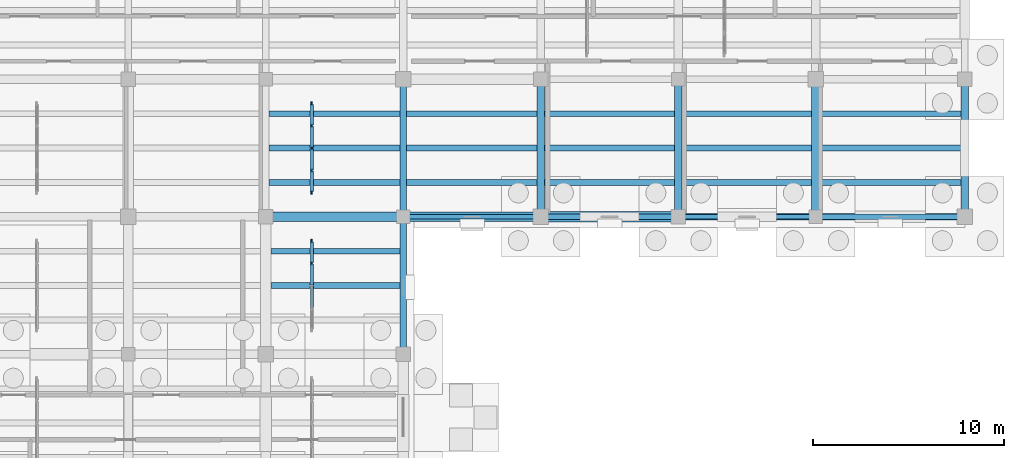
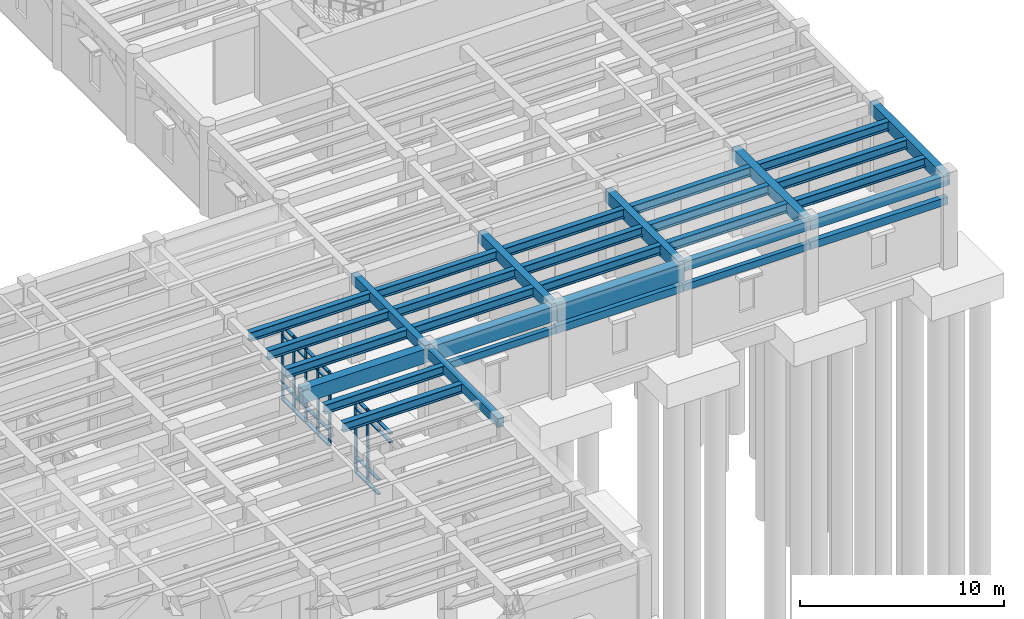
# One storey, part 37 of 100: 33 members, 32 beams, 2 elements without a shape of their own.
"""IFC4 building model written with IfcOpenShell, lengths in metres."""

from ifc_helpers import new_model, si_unit, direction, frame, origin, origin_2d, place, context, subcontext, project, spatial, rectangle, i_section, extrude, material, material_profile, profile_set, type_object, element, aggregate, save


model = new_model("IFC4")

# Units and contexts
model_context = context("Model", 3, precision=1e-05, world=origin(), true_north=direction((0.0, 1.0)))
body_context = subcontext(model_context, "Body", "Model", "MODEL_VIEW")
ifc_project = project(units=[si_unit("LENGTHUNIT", "METRE"), si_unit("AREAUNIT", "SQUARE_METRE"), si_unit("VOLUMEUNIT", "CUBIC_METRE"), si_unit("PLANEANGLEUNIT", "RADIAN"), si_unit("MASSUNIT", "GRAM", prefix="KILO")], contexts=[model_context])

# Site, building, storey
site_placement = place(None, origin())
site = spatial("IfcSite", under=ifc_project, at=site_placement, CompositionType="ELEMENT")
building_placement = place(site_placement, origin())
building = spatial("IfcBuilding", under=site, at=building_placement, Name="Mithqara Police Headquarters", CompositionType="ELEMENT")
storey_placement = place(building_placement, origin())
storey = spatial("IfcBuildingStorey", under=building, at=storey_placement, Name="L00", CompositionType="ELEMENT", Elevation=0.0)

# Beams
ifc_material_1 = material(Name="Steel S355JR", Category="steel")
ifc_material_profile_1 = material_profile(ifc_material_1, i_section(OverallWidth=0.300048828125, OverallDepth=0.550048828125, WebThickness=0.014892578125, FlangeThickness=0.029052734375, FilletRadius=0.027099609375, at=origin_2d()), Name="HEB 550")
ifc_profile_set_1 = profile_set([ifc_material_profile_1], Name="Steel S355JR")
beam_type_1 = type_object("IfcBeamType", Name="BEAM HEB550", PredefinedType="BEAM", material=ifc_profile_set_1)
for number, where, z_axis, x_axis, name in (
    (1, (137.675048828125, 17.39990234375, 4.844970703125), (1.0, 0.0, 0.0), (0.0, 1.0, 0.0), "L00 Composite Steel Joist 20-21/C.2"),
    (2, (137.675048828125, 19.199951171875, 4.844970703125), (1.0, 0.0, 0.0), (0.0, 1.0, 0.0), "L00 Composite Steel Joist 20-21/C.3"),
):
    element("IfcBeam", number, at=place(storey_placement, frame(where, z_axis=z_axis, x_axis=x_axis)), inside=storey, type_object=beam_type_1, Name=name, PredefinedType="BEAM", context=body_context, shape_type="SweptSolid", body=[
        extrude(i_section(OverallWidth=0.300048828125, OverallDepth=0.550048828125, WebThickness=0.014892578125, FlangeThickness=0.029052734375, FilletRadius=0.027099609375, at=origin_2d()), origin(), (0.0, 0.0, 1.0), 6.75),
    ])
for number, where, z_axis, x_axis, name in (
    (3, (137.574951171875, 22.800048828125, 4.844970703125), (1.0, 0.0, 0.0), (0.0, 1.0, 0.0), "L00 Composite Steel Joist 20-21/D.1"),
    (4, (137.574951171875, 24.60009765625, 4.844970703125), (1.0, 0.0, 0.0), (0.0, 1.0, 0.0), "L00 Composite Steel Joist 20-21/D.2"),
    (5, (137.574951171875, 26.39990234375, 4.844970703125), (1.0, 0.0, 0.0), (0.0, 1.0, 0.0), "L00 Composite Steel Joist 20-21/D.3"),
):
    element("IfcBeam", number, at=place(storey_placement, frame(where, z_axis=z_axis, x_axis=x_axis)), inside=storey, type_object=beam_type_1, Name=name, PredefinedType="BEAM", context=body_context, shape_type="SweptSolid", body=[
        extrude(i_section(OverallWidth=0.300048828125, OverallDepth=0.550048828125, WebThickness=0.014892578125, FlangeThickness=0.029052734375, FilletRadius=0.027099609375, at=origin_2d()), origin(), (0.0, 0.0, 1.0), 6.85009765625),
    ])
for number, where, z_axis, x_axis, name in (
    (6, (144.77490234375, 22.800048828125, 4.844970703125), (1.0, 0.0, 0.0), (0.0, 1.0, 0.0), "L00 Composite Steel Joist 21-22/D.1"),
    (7, (144.77490234375, 24.60009765625, 4.844970703125), (1.0, 0.0, 0.0), (0.0, 1.0, 0.0), "L00 Composite Steel Joist 21-22/D.2"),
    (8, (144.77490234375, 26.39990234375, 4.844970703125), (1.0, 0.0, 0.0), (0.0, 1.0, 0.0), "L00 Composite Steel Joist 21-22/D.3"),
):
    element("IfcBeam", number, at=place(storey_placement, frame(where, z_axis=z_axis, x_axis=x_axis)), inside=storey, type_object=beam_type_1, Name=name, PredefinedType="BEAM", context=body_context, shape_type="SweptSolid", body=[
        extrude(i_section(OverallWidth=0.300048828125, OverallDepth=0.550048828125, WebThickness=0.014892578125, FlangeThickness=0.029052734375, FilletRadius=0.027099609375, at=origin_2d()), origin(), (0.0, 0.0, 1.0), 6.8251953125),
    ])
for number, where, z_axis, x_axis, name in (
    (9, (152.0, 22.800048828125, 4.844970703125), (1.0, 0.0, 0.0), (0.0, 1.0, 0.0), "L00 Composite Steel Joist 22-23/D.1"),
    (10, (152.0, 24.60009765625, 4.844970703125), (1.0, 0.0, 0.0), (0.0, 1.0, 0.0), "L00 Composite Steel Joist 22-23/D.2"),
    (11, (152.0, 26.39990234375, 4.844970703125), (1.0, 0.0, 0.0), (0.0, 1.0, 0.0), "L00 Composite Steel Joist 22-23/D.3"),
):
    element("IfcBeam", number, at=place(storey_placement, frame(where, z_axis=z_axis, x_axis=x_axis)), inside=storey, type_object=beam_type_1, Name=name, PredefinedType="BEAM", context=body_context, shape_type="SweptSolid", body=[
        extrude(i_section(OverallWidth=0.300048828125, OverallDepth=0.550048828125, WebThickness=0.014892578125, FlangeThickness=0.029052734375, FilletRadius=0.027099609375, at=origin_2d()), origin(), (0.0, 0.0, 1.0), 6.800048828125),
    ])
for number, where, z_axis, x_axis, name in (
    (12, (159.199951171875, 22.800048828125, 4.844970703125), (1.0, 0.0, 0.0), (0.0, 1.0, 0.0), "L00 Composite Steel Joist 23-24/D.1"),
    (13, (159.199951171875, 24.60009765625, 4.844970703125), (1.0, 0.0, 0.0), (0.0, 1.0, 0.0), "L00 Composite Steel Joist 23-24/D.2"),
    (14, (159.199951171875, 26.39990234375, 4.844970703125), (1.0, 0.0, 0.0), (0.0, 1.0, 0.0), "L00 Composite Steel Joist 23-24/D.3"),
):
    element("IfcBeam", number, at=place(storey_placement, frame(where, z_axis=z_axis, x_axis=x_axis)), inside=storey, type_object=beam_type_1, Name=name, PredefinedType="BEAM", context=body_context, shape_type="SweptSolid", body=[
        extrude(i_section(OverallWidth=0.300048828125, OverallDepth=0.550048828125, WebThickness=0.014892578125, FlangeThickness=0.029052734375, FilletRadius=0.027099609375, at=origin_2d()), origin(), (0.0, 0.0, 1.0), 6.775146484375),
    ])
for number, where, z_axis, x_axis, name in (
    (15, (166.425048828125, 22.800048828125, 4.844970703125), (1.0, 0.0, 0.0), (0.0, 1.0, 0.0), "L00 Composite Steel Joist 24-25/D.1"),
    (16, (166.425048828125, 24.60009765625, 4.844970703125), (1.0, 0.0, 0.0), (0.0, 1.0, 0.0), "L00 Composite Steel Joist 24-25/D.2"),
    (17, (166.425048828125, 26.39990234375, 4.844970703125), (1.0, 0.0, 0.0), (0.0, 1.0, 0.0), "L00 Composite Steel Joist 24-25/D.3"),
):
    element("IfcBeam", number, at=place(storey_placement, frame(where, z_axis=z_axis, x_axis=x_axis)), inside=storey, type_object=beam_type_1, Name=name, PredefinedType="BEAM", context=body_context, shape_type="SweptSolid", body=[
        extrude(i_section(OverallWidth=0.300048828125, OverallDepth=0.550048828125, WebThickness=0.014892578125, FlangeThickness=0.029052734375, FilletRadius=0.027099609375, at=origin_2d()), origin(), (0.0, 0.0, 1.0), 7.375),
    ])
ifc_material_2 = material(Name="Concrete C40/50", Category="concrete")
ifc_material_profile_2 = material_profile(ifc_material_2, rectangle(XDim=0.35009765625, YDim=0.550048828125, at=origin_2d()), Name="RC 350x550")
ifc_profile_set_2 = profile_set([ifc_material_profile_2], Name="Concrete C40/50")
beam_type_2 = type_object("IfcBeamType", Name="BEAM RC350X550", PredefinedType="BEAM", material=ifc_profile_set_2)
for number, where, z_axis, x_axis, name in (
    (18, (144.60009765625, 13.800048828125, 4.844970703125), (0.0, 1.0, 0.0), (-1.0, 0.0, 0.0), "L00 Girder 21/C-D"),
    (19, (159.0, 21.0, 4.844970703125), (1.0, 0.0, 0.0), (0.0, 1.0, 0.0), "L00 Girder 23-24/D"),
):
    element("IfcBeam", number, at=place(storey_placement, frame(where, z_axis=z_axis, x_axis=x_axis)), inside=storey, type_object=beam_type_2, Name=name, PredefinedType="BEAM", context=body_context, shape_type="SweptSolid", body=[
        extrude(rectangle(XDim=0.35009765625, YDim=0.550048828125, at=origin_2d()), origin(), (0.0, 0.0, 1.0), 7.199951171875),
    ])
ifc_material_profile_3 = material_profile(ifc_material_2, rectangle(XDim=0.35009765625, YDim=0.60009765625, at=origin_2d()), Name="RC 350x600")
ifc_profile_set_3 = profile_set([ifc_material_profile_3], Name="Concrete C40/50")
beam_type_3 = type_object("IfcBeamType", Name="BEAM RC350X600", PredefinedType="BEAM", material=ifc_profile_set_3)
beam_1_placement = place(storey_placement, frame((144.60009765625, 21.0, 4.820068359375), z_axis=(0.0, 1.0, 0.0), x_axis=(-1.0, 0.0, 0.0)))
element("IfcBeam", 20, at=beam_1_placement, inside=storey, type_object=beam_type_3, Name="L00 Girder 21/D-E", PredefinedType="BEAM", context=body_context, shape_type="SweptSolid", body=[
    extrude(rectangle(XDim=0.35009765625, YDim=0.60009765625, at=origin_2d()), origin(), (0.0, 0.0, 1.0), 7.199951171875),
])
beam_2_placement = place(storey_placement, frame((166.199951171875, 21.0, 4.820068359375), z_axis=(1.0, 0.0, 0.0), x_axis=(0.0, 1.0, 0.0)))
element("IfcBeam", 21, at=beam_2_placement, inside=storey, type_object=beam_type_3, Name="L00 Girder 24-25/D", PredefinedType="BEAM", context=body_context, shape_type="SweptSolid", body=[
    extrude(rectangle(XDim=0.35009765625, YDim=0.60009765625, at=origin_2d()), origin(), (0.0, 0.0, 1.0), 7.800048828125),
])
ifc_material_profile_4 = material_profile(ifc_material_2, rectangle(XDim=0.39990234375, YDim=0.64990234375, at=origin_2d()), Name="RC 400x650")
ifc_profile_set_4 = profile_set([ifc_material_profile_4], Name="Concrete C40/50")
beam_type_4 = type_object("IfcBeamType", Name="BEAM RC400X650", PredefinedType="BEAM", material=ifc_profile_set_4)
beam_3_placement = place(storey_placement, frame((151.800048828125, 21.0, 4.794921875), z_axis=(0.0, 1.0, 0.0), x_axis=(-1.0, 0.0, 0.0)))
element("IfcBeam", 22, at=beam_3_placement, inside=storey, type_object=beam_type_4, Name="L00 Girder 22/D-E", PredefinedType="BEAM", context=body_context, shape_type="SweptSolid", body=[
    extrude(rectangle(XDim=0.39990234375, YDim=0.64990234375, at=origin_2d()), origin(), (0.0, 0.0, 1.0), 7.199951171875),
])
ifc_material_profile_5 = material_profile(ifc_material_2, rectangle(XDim=0.39990234375, YDim=0.75, at=origin_2d()), Name="RC 400x750")
ifc_profile_set_5 = profile_set([ifc_material_profile_5], Name="Concrete C40/50")
beam_type_5 = type_object("IfcBeamType", Name="BEAM RC400X750", PredefinedType="BEAM", material=ifc_profile_set_5)
beam_4_placement = place(storey_placement, frame((159.0, 21.0, 4.7451171875), z_axis=(0.0, 1.0, 0.0), x_axis=(-1.0, 0.0, 0.0)))
element("IfcBeam", 23, at=beam_4_placement, inside=storey, type_object=beam_type_5, Name="L00 Girder 23/D-E", PredefinedType="BEAM", context=body_context, shape_type="SweptSolid", body=[
    extrude(rectangle(XDim=0.39990234375, YDim=0.75, at=origin_2d()), origin(), (0.0, 0.0, 1.0), 7.199951171875),
])
ifc_material_profile_6 = material_profile(ifc_material_2, rectangle(XDim=0.449951171875, YDim=0.699951171875, at=origin_2d()), Name="RC 450x700")
ifc_profile_set_6 = profile_set([ifc_material_profile_6], Name="Concrete C40/50")
beam_type_6 = type_object("IfcBeamType", Name="BEAM RC450X700", PredefinedType="BEAM", material=ifc_profile_set_6)
beam_5_placement = place(storey_placement, frame((166.199951171875, 21.0, 4.77001953125), z_axis=(0.0, 1.0, 0.0), x_axis=(-1.0, 0.0, 0.0)))
element("IfcBeam", 24, at=beam_5_placement, inside=storey, type_object=beam_type_6, Name="L00 Girder 24/D-E", PredefinedType="BEAM", context=body_context, shape_type="SweptSolid", body=[
    extrude(rectangle(XDim=0.449951171875, YDim=0.699951171875, at=origin_2d()), origin(), (0.0, 0.0, 1.0), 7.199951171875),
])
ifc_material_profile_7 = material_profile(ifc_material_2, rectangle(XDim=0.5, YDim=0.85009765625, at=origin_2d()), Name="RC 500x850")
ifc_profile_set_7 = profile_set([ifc_material_profile_7], Name="Concrete C40/50")
beam_type_7 = type_object("IfcBeamType", Name="BEAM RC500X850", PredefinedType="BEAM", material=ifc_profile_set_7)
beam_6_placement = place(storey_placement, frame((137.39990234375, 21.0, 4.695068359375), z_axis=(1.0, 0.0, 0.0), x_axis=(0.0, 1.0, 0.0)))
element("IfcBeam", 25, at=beam_6_placement, inside=storey, type_object=beam_type_7, Name="L00 Girder 20-21/D", PredefinedType="BEAM", context=body_context, shape_type="SweptSolid", body=[
    extrude(rectangle(XDim=0.5, YDim=0.85009765625, at=origin_2d()), origin(), (0.0, 0.0, 1.0), 7.2001953125),
])
ifc_material_3 = material(Name="Concrete C50/60", Category="concrete")
ifc_material_profile_8 = material_profile(ifc_material_3, rectangle(XDim=0.5, YDim=0.89990234375, at=origin_2d()), Name="RC 500x900")
ifc_profile_set_8 = profile_set([ifc_material_profile_8], Name="Concrete C50/60")
beam_type_8 = type_object("IfcBeamType", Name="BEAM RC500X900", PredefinedType="BEAM", material=ifc_profile_set_8)
beam_7_placement = place(storey_placement, frame((144.60009765625, 21.0, 4.669921875), z_axis=(1.0, 0.0, 0.0), x_axis=(0.0, 1.0, 0.0)))
element("IfcBeam", 26, at=beam_7_placement, inside=storey, type_object=beam_type_8, Name="L00 Girder 21-22/D", PredefinedType="BEAM", context=body_context, shape_type="SweptSolid", body=[
    extrude(rectangle(XDim=0.5, YDim=0.89990234375, at=origin_2d()), origin(), (0.0, 0.0, 1.0), 7.199951171875),
])
ifc_material_profile_9 = material_profile(ifc_material_3, rectangle(XDim=0.550048828125, YDim=1.0, at=origin_2d()), Name="RC 550x1000")
ifc_profile_set_9 = profile_set([ifc_material_profile_9], Name="Concrete C50/60")
beam_type_9 = type_object("IfcBeamType", Name="BEAM RC550X1000", PredefinedType="BEAM", material=ifc_profile_set_9)
beam_8_placement = place(storey_placement, frame((151.800048828125, 21.0, 4.6201171875), z_axis=(1.0, 0.0, 0.0), x_axis=(0.0, 1.0, 0.0)))
element("IfcBeam", 27, at=beam_8_placement, inside=storey, type_object=beam_type_9, Name="L00 Girder 22-23/D", PredefinedType="BEAM", context=body_context, shape_type="SweptSolid", body=[
    extrude(rectangle(XDim=0.550048828125, YDim=1.0, at=origin_2d()), origin(), (0.0, 0.0, 1.0), 7.199951171875),
])

# Curtain wall, members
ifc_material_4 = material(Name="Bronze anodised aluminium 6063-T6", Category="aluminium")
curtain_wall_type = type_object("IfcCurtainWallType", Name="CURTAIN WALL 4700X4400", PredefinedType="USERDEFINED", material=ifc_material_4)
curtain_wall_1_placement = place(storey_placement, origin())
curtain_wall_1 = element("IfcCurtainWall", 28, at=curtain_wall_1_placement, inside=storey, type_object=curtain_wall_type, Name="L00 Unitised Glazing CW-14 (CW-INT-L00-X19-Y02-0)", ObjectType="UNITISED GLAZING", PredefinedType="USERDEFINED")
ifc_material_profile_10 = material_profile(ifc_material_4, rectangle(XDim=0.074951171875, YDim=0.219970703125, at=origin_2d()), Name="CWM 75x220")
ifc_profile_set_10 = profile_set([ifc_material_profile_10], Name="Bronze anodised aluminium 6063-T6")
member_type_1 = type_object("IfcMemberType", Name="CWMULLION 75X220", PredefinedType="MULLION", material=ifc_profile_set_10)
member_1_placement = place(storey_placement, frame((139.800048828125, 18.574951171875, 0.0), z_axis=(0.0, 0.0, 1.0), x_axis=(-1.0, 0.0, 0.0)))
member_1 = element("IfcMember", 29, at=member_1_placement, type_object=member_type_1, Name="CW-14 mullion 4", PredefinedType="MULLION", context=body_context, shape_type="SweptSolid", body=[
    extrude(rectangle(XDim=0.074951171875, YDim=0.219970703125, at=origin_2d()), origin(), (0.0, 0.0, 1.0), 4.39990234375),
])
member_2_placement = place(storey_placement, frame((139.800048828125, 19.71240234375, 0.0), z_axis=(0.0, 0.0, 1.0), x_axis=(-1.0, 0.0, 0.0)))
member_2 = element("IfcMember", 30, at=member_2_placement, type_object=member_type_1, Name="CW-14 mullion 5", PredefinedType="MULLION", context=body_context, shape_type="SweptSolid", body=[
    extrude(rectangle(XDim=0.074951171875, YDim=0.219970703125, at=origin_2d()), origin(), (0.0, 0.0, 1.0), 4.39990234375),
])

curtain_wall_2_placement = place(storey_placement, origin())
curtain_wall_2 = element("IfcCurtainWall", 31, at=curtain_wall_2_placement, inside=storey, type_object=curtain_wall_type, Name="L00 Unitised Glazing CW-14 (CW-INT-L00-X19-Y03-0)", ObjectType="UNITISED GLAZING", PredefinedType="USERDEFINED")
member_3_placement = place(storey_placement, frame((139.800048828125, 22.28759765625, 0.0), z_axis=(0.0, 0.0, 1.0), x_axis=(-1.0, 0.0, 0.0)))
member_3 = element("IfcMember", 32, at=member_3_placement, type_object=member_type_1, Name="CW-14 mullion 1", PredefinedType="MULLION", context=body_context, shape_type="SweptSolid", body=[
    extrude(rectangle(XDim=0.074951171875, YDim=0.219970703125, at=origin_2d()), origin(), (0.0, 0.0, 1.0), 4.39990234375),
])
member_4_placement = place(storey_placement, frame((139.800048828125, 23.425048828125, 0.0), z_axis=(0.0, 0.0, 1.0), x_axis=(-1.0, 0.0, 0.0)))
member_4 = element("IfcMember", 33, at=member_4_placement, type_object=member_type_1, Name="CW-14 mullion 2", PredefinedType="MULLION", context=body_context, shape_type="SweptSolid", body=[
    extrude(rectangle(XDim=0.074951171875, YDim=0.219970703125, at=origin_2d()), origin(), (0.0, 0.0, 1.0), 4.39990234375),
])
member_5_placement = place(storey_placement, frame((139.800048828125, 24.60009765625, 0.0), z_axis=(0.0, 0.0, 1.0), x_axis=(-1.0, 0.0, 0.0)))
member_5 = element("IfcMember", 34, at=member_5_placement, type_object=member_type_1, Name="CW-14 mullion 3", PredefinedType="MULLION", context=body_context, shape_type="SweptSolid", body=[
    extrude(rectangle(XDim=0.074951171875, YDim=0.219970703125, at=origin_2d()), origin(), (0.0, 0.0, 1.0), 4.39990234375),
])
member_6_placement = place(storey_placement, frame((139.800048828125, 25.77490234375, 0.0), z_axis=(0.0, 0.0, 1.0), x_axis=(-1.0, 0.0, 0.0)))
member_6 = element("IfcMember", 35, at=member_6_placement, type_object=member_type_1, Name="CW-14 mullion 4", PredefinedType="MULLION", context=body_context, shape_type="SweptSolid", body=[
    extrude(rectangle(XDim=0.074951171875, YDim=0.219970703125, at=origin_2d()), origin(), (0.0, 0.0, 1.0), 4.39990234375),
])
member_7_placement = place(storey_placement, frame((139.800048828125, 26.91259765625, 0.0), z_axis=(0.0, 0.0, 1.0), x_axis=(-1.0, 0.0, 0.0)))
member_7 = element("IfcMember", 36, at=member_7_placement, type_object=member_type_1, Name="CW-14 mullion 5", PredefinedType="MULLION", context=body_context, shape_type="SweptSolid", body=[
    extrude(rectangle(XDim=0.074951171875, YDim=0.219970703125, at=origin_2d()), origin(), (0.0, 0.0, 1.0), 4.39990234375),
])

# Member
ifc_material_profile_11 = material_profile(ifc_material_4, rectangle(XDim=0.179931640625, YDim=0.074951171875, at=origin_2d()), Name="CWT 180x75")
ifc_profile_set_11 = profile_set([ifc_material_profile_11], Name="Bronze anodised aluminium 6063-T6")
member_type_2 = type_object("IfcMemberType", Name="CWTRANSOM 180X75", PredefinedType="USERDEFINED", material=ifc_profile_set_11)
member_8_placement = place(storey_placement, frame((139.800048828125, 16.262451171875, 3.85009765625), z_axis=(0.0, 1.0, 0.0), x_axis=(-1.0, 0.0, 0.0)))
member_8 = element("IfcMember", 37, at=member_8_placement, type_object=member_type_2, Name="CW-14 transom 2.3", ObjectType="TRANSOM", PredefinedType="USERDEFINED", context=body_context, shape_type="SweptSolid", body=[
    extrude(rectangle(XDim=0.179931640625, YDim=0.074951171875, at=origin_2d()), origin(), (0.0, 0.0, 1.0), 1.10009765625),
])

member_9_placement = place(storey_placement, frame((139.800048828125, 16.262451171875, 4.362548828125), z_axis=(0.0, 1.0, 0.0), x_axis=(-1.0, 0.0, 0.0)))
member_9 = element("IfcMember", 38, at=member_9_placement, type_object=member_type_2, Name="CW-14 transom 2.4", ObjectType="TRANSOM", PredefinedType="USERDEFINED", context=body_context, shape_type="SweptSolid", body=[
    extrude(rectangle(XDim=0.179931640625, YDim=0.074951171875, at=origin_2d()), origin(), (0.0, 0.0, 1.0), 1.10009765625),
])

member_10_placement = place(storey_placement, frame((139.800048828125, 17.4375, 0.03759765625), z_axis=(0.0, 1.0, 0.0), x_axis=(-1.0, 0.0, 0.0)))
member_10 = element("IfcMember", 39, at=member_10_placement, type_object=member_type_2, Name="CW-14 transom 3.1", ObjectType="TRANSOM", PredefinedType="USERDEFINED", context=body_context, shape_type="SweptSolid", body=[
    extrude(rectangle(XDim=0.179931640625, YDim=0.074951171875, at=origin_2d()), origin(), (0.0, 0.0, 1.0), 1.10009765625),
])

member_11_placement = place(storey_placement, frame((139.800048828125, 17.4375, 0.89990234375), z_axis=(0.0, 1.0, 0.0), x_axis=(-1.0, 0.0, 0.0)))
member_11 = element("IfcMember", 40, at=member_11_placement, type_object=member_type_2, Name="CW-14 transom 3.2", ObjectType="TRANSOM", PredefinedType="USERDEFINED", context=body_context, shape_type="SweptSolid", body=[
    extrude(rectangle(XDim=0.179931640625, YDim=0.074951171875, at=origin_2d()), origin(), (0.0, 0.0, 1.0), 1.10009765625),
])

member_12_placement = place(storey_placement, frame((139.800048828125, 17.4375, 3.85009765625), z_axis=(0.0, 1.0, 0.0), x_axis=(-1.0, 0.0, 0.0)))
member_12 = element("IfcMember", 41, at=member_12_placement, type_object=member_type_2, Name="CW-14 transom 3.3", ObjectType="TRANSOM", PredefinedType="USERDEFINED", context=body_context, shape_type="SweptSolid", body=[
    extrude(rectangle(XDim=0.179931640625, YDim=0.074951171875, at=origin_2d()), origin(), (0.0, 0.0, 1.0), 1.10009765625),
])

member_13_placement = place(storey_placement, frame((139.800048828125, 17.4375, 4.362548828125), z_axis=(0.0, 1.0, 0.0), x_axis=(-1.0, 0.0, 0.0)))
member_13 = element("IfcMember", 42, at=member_13_placement, type_object=member_type_2, Name="CW-14 transom 3.4", ObjectType="TRANSOM", PredefinedType="USERDEFINED", context=body_context, shape_type="SweptSolid", body=[
    extrude(rectangle(XDim=0.179931640625, YDim=0.074951171875, at=origin_2d()), origin(), (0.0, 0.0, 1.0), 1.10009765625),
])

member_14_placement = place(storey_placement, frame((139.800048828125, 18.612548828125, 0.03759765625), z_axis=(0.0, 1.0, 0.0), x_axis=(-1.0, 0.0, 0.0)))
member_14 = element("IfcMember", 43, at=member_14_placement, type_object=member_type_2, Name="CW-14 transom 4.1", ObjectType="TRANSOM", PredefinedType="USERDEFINED", context=body_context, shape_type="SweptSolid", body=[
    extrude(rectangle(XDim=0.179931640625, YDim=0.074951171875, at=origin_2d()), origin(), (0.0, 0.0, 1.0), 1.0625),
])

member_15_placement = place(storey_placement, frame((139.800048828125, 18.612548828125, 0.89990234375), z_axis=(0.0, 1.0, 0.0), x_axis=(-1.0, 0.0, 0.0)))
member_15 = element("IfcMember", 44, at=member_15_placement, type_object=member_type_2, Name="CW-14 transom 4.2", ObjectType="TRANSOM", PredefinedType="USERDEFINED", context=body_context, shape_type="SweptSolid", body=[
    extrude(rectangle(XDim=0.179931640625, YDim=0.074951171875, at=origin_2d()), origin(), (0.0, 0.0, 1.0), 1.0625),
])

member_16_placement = place(storey_placement, frame((139.800048828125, 18.612548828125, 3.85009765625), z_axis=(0.0, 1.0, 0.0), x_axis=(-1.0, 0.0, 0.0)))
member_16 = element("IfcMember", 45, at=member_16_placement, type_object=member_type_2, Name="CW-14 transom 4.3", ObjectType="TRANSOM", PredefinedType="USERDEFINED", context=body_context, shape_type="SweptSolid", body=[
    extrude(rectangle(XDim=0.179931640625, YDim=0.074951171875, at=origin_2d()), origin(), (0.0, 0.0, 1.0), 1.0625),
])

member_17_placement = place(storey_placement, frame((139.800048828125, 18.612548828125, 4.362548828125), z_axis=(0.0, 1.0, 0.0), x_axis=(-1.0, 0.0, 0.0)))
member_17 = element("IfcMember", 46, at=member_17_placement, type_object=member_type_2, Name="CW-14 transom 4.4", ObjectType="TRANSOM", PredefinedType="USERDEFINED", context=body_context, shape_type="SweptSolid", body=[
    extrude(rectangle(XDim=0.179931640625, YDim=0.074951171875, at=origin_2d()), origin(), (0.0, 0.0, 1.0), 1.0625),
])

aggregate(curtain_wall_1, [member_1, member_2, member_8, member_9, member_10, member_11, member_12, member_13, member_14, member_15, member_16, member_17])

member_18_placement = place(storey_placement, frame((139.800048828125, 22.324951171875, 0.03759765625), z_axis=(0.0, 1.0, 0.0), x_axis=(-1.0, 0.0, 0.0)))
member_18 = element("IfcMember", 47, at=member_18_placement, type_object=member_type_2, Name="CW-14 transom 1.1", ObjectType="TRANSOM", PredefinedType="USERDEFINED", context=body_context, shape_type="SweptSolid", body=[
    extrude(rectangle(XDim=0.179931640625, YDim=0.074951171875, at=origin_2d()), origin(), (0.0, 0.0, 1.0), 1.0625),
])

member_19_placement = place(storey_placement, frame((139.800048828125, 22.324951171875, 0.89990234375), z_axis=(0.0, 1.0, 0.0), x_axis=(-1.0, 0.0, 0.0)))
member_19 = element("IfcMember", 48, at=member_19_placement, type_object=member_type_2, Name="CW-14 transom 1.2", ObjectType="TRANSOM", PredefinedType="USERDEFINED", context=body_context, shape_type="SweptSolid", body=[
    extrude(rectangle(XDim=0.179931640625, YDim=0.074951171875, at=origin_2d()), origin(), (0.0, 0.0, 1.0), 1.0625),
])

member_20_placement = place(storey_placement, frame((139.800048828125, 22.324951171875, 3.85009765625), z_axis=(0.0, 1.0, 0.0), x_axis=(-1.0, 0.0, 0.0)))
member_20 = element("IfcMember", 49, at=member_20_placement, type_object=member_type_2, Name="CW-14 transom 1.3", ObjectType="TRANSOM", PredefinedType="USERDEFINED", context=body_context, shape_type="SweptSolid", body=[
    extrude(rectangle(XDim=0.179931640625, YDim=0.074951171875, at=origin_2d()), origin(), (0.0, 0.0, 1.0), 1.0625),
])

member_21_placement = place(storey_placement, frame((139.800048828125, 22.324951171875, 4.362548828125), z_axis=(0.0, 1.0, 0.0), x_axis=(-1.0, 0.0, 0.0)))
member_21 = element("IfcMember", 50, at=member_21_placement, type_object=member_type_2, Name="CW-14 transom 1.4", ObjectType="TRANSOM", PredefinedType="USERDEFINED", context=body_context, shape_type="SweptSolid", body=[
    extrude(rectangle(XDim=0.179931640625, YDim=0.074951171875, at=origin_2d()), origin(), (0.0, 0.0, 1.0), 1.0625),
])

member_22_placement = place(storey_placement, frame((139.800048828125, 23.46240234375, 0.03759765625), z_axis=(0.0, 1.0, 0.0), x_axis=(-1.0, 0.0, 0.0)))
member_22 = element("IfcMember", 51, at=member_22_placement, type_object=member_type_2, Name="CW-14 transom 2.1", ObjectType="TRANSOM", PredefinedType="USERDEFINED", context=body_context, shape_type="SweptSolid", body=[
    extrude(rectangle(XDim=0.179931640625, YDim=0.074951171875, at=origin_2d()), origin(), (0.0, 0.0, 1.0), 1.10009765625),
])

member_23_placement = place(storey_placement, frame((139.800048828125, 23.46240234375, 0.89990234375), z_axis=(0.0, 1.0, 0.0), x_axis=(-1.0, 0.0, 0.0)))
member_23 = element("IfcMember", 52, at=member_23_placement, type_object=member_type_2, Name="CW-14 transom 2.2", ObjectType="TRANSOM", PredefinedType="USERDEFINED", context=body_context, shape_type="SweptSolid", body=[
    extrude(rectangle(XDim=0.179931640625, YDim=0.074951171875, at=origin_2d()), origin(), (0.0, 0.0, 1.0), 1.10009765625),
])

member_24_placement = place(storey_placement, frame((139.800048828125, 23.46240234375, 3.85009765625), z_axis=(0.0, 1.0, 0.0), x_axis=(-1.0, 0.0, 0.0)))
member_24 = element("IfcMember", 53, at=member_24_placement, type_object=member_type_2, Name="CW-14 transom 2.3", ObjectType="TRANSOM", PredefinedType="USERDEFINED", context=body_context, shape_type="SweptSolid", body=[
    extrude(rectangle(XDim=0.179931640625, YDim=0.074951171875, at=origin_2d()), origin(), (0.0, 0.0, 1.0), 1.10009765625),
])

member_25_placement = place(storey_placement, frame((139.800048828125, 23.46240234375, 4.362548828125), z_axis=(0.0, 1.0, 0.0), x_axis=(-1.0, 0.0, 0.0)))
member_25 = element("IfcMember", 54, at=member_25_placement, type_object=member_type_2, Name="CW-14 transom 2.4", ObjectType="TRANSOM", PredefinedType="USERDEFINED", context=body_context, shape_type="SweptSolid", body=[
    extrude(rectangle(XDim=0.179931640625, YDim=0.074951171875, at=origin_2d()), origin(), (0.0, 0.0, 1.0), 1.10009765625),
])

member_26_placement = place(storey_placement, frame((139.800048828125, 24.637451171875, 0.03759765625), z_axis=(0.0, 1.0, 0.0), x_axis=(-1.0, 0.0, 0.0)))
member_26 = element("IfcMember", 55, at=member_26_placement, type_object=member_type_2, Name="CW-14 transom 3.1", ObjectType="TRANSOM", PredefinedType="USERDEFINED", context=body_context, shape_type="SweptSolid", body=[
    extrude(rectangle(XDim=0.179931640625, YDim=0.074951171875, at=origin_2d()), origin(), (0.0, 0.0, 1.0), 1.10009765625),
])

member_27_placement = place(storey_placement, frame((139.800048828125, 24.637451171875, 0.89990234375), z_axis=(0.0, 1.0, 0.0), x_axis=(-1.0, 0.0, 0.0)))
member_27 = element("IfcMember", 56, at=member_27_placement, type_object=member_type_2, Name="CW-14 transom 3.2", ObjectType="TRANSOM", PredefinedType="USERDEFINED", context=body_context, shape_type="SweptSolid", body=[
    extrude(rectangle(XDim=0.179931640625, YDim=0.074951171875, at=origin_2d()), origin(), (0.0, 0.0, 1.0), 1.10009765625),
])

member_28_placement = place(storey_placement, frame((139.800048828125, 24.637451171875, 3.85009765625), z_axis=(0.0, 1.0, 0.0), x_axis=(-1.0, 0.0, 0.0)))
member_28 = element("IfcMember", 57, at=member_28_placement, type_object=member_type_2, Name="CW-14 transom 3.3", ObjectType="TRANSOM", PredefinedType="USERDEFINED", context=body_context, shape_type="SweptSolid", body=[
    extrude(rectangle(XDim=0.179931640625, YDim=0.074951171875, at=origin_2d()), origin(), (0.0, 0.0, 1.0), 1.10009765625),
])

member_29_placement = place(storey_placement, frame((139.800048828125, 24.637451171875, 4.362548828125), z_axis=(0.0, 1.0, 0.0), x_axis=(-1.0, 0.0, 0.0)))
member_29 = element("IfcMember", 58, at=member_29_placement, type_object=member_type_2, Name="CW-14 transom 3.4", ObjectType="TRANSOM", PredefinedType="USERDEFINED", context=body_context, shape_type="SweptSolid", body=[
    extrude(rectangle(XDim=0.179931640625, YDim=0.074951171875, at=origin_2d()), origin(), (0.0, 0.0, 1.0), 1.10009765625),
])

member_30_placement = place(storey_placement, frame((139.800048828125, 25.8125, 0.03759765625), z_axis=(0.0, 1.0, 0.0), x_axis=(-1.0, 0.0, 0.0)))
member_30 = element("IfcMember", 59, at=member_30_placement, type_object=member_type_2, Name="CW-14 transom 4.1", ObjectType="TRANSOM", PredefinedType="USERDEFINED", context=body_context, shape_type="SweptSolid", body=[
    extrude(rectangle(XDim=0.179931640625, YDim=0.074951171875, at=origin_2d()), origin(), (0.0, 0.0, 1.0), 1.0625),
])

member_31_placement = place(storey_placement, frame((139.800048828125, 25.8125, 0.89990234375), z_axis=(0.0, 1.0, 0.0), x_axis=(-1.0, 0.0, 0.0)))
member_31 = element("IfcMember", 60, at=member_31_placement, type_object=member_type_2, Name="CW-14 transom 4.2", ObjectType="TRANSOM", PredefinedType="USERDEFINED", context=body_context, shape_type="SweptSolid", body=[
    extrude(rectangle(XDim=0.179931640625, YDim=0.074951171875, at=origin_2d()), origin(), (0.0, 0.0, 1.0), 1.0625),
])

member_32_placement = place(storey_placement, frame((139.800048828125, 25.8125, 3.85009765625), z_axis=(0.0, 1.0, 0.0), x_axis=(-1.0, 0.0, 0.0)))
member_32 = element("IfcMember", 61, at=member_32_placement, type_object=member_type_2, Name="CW-14 transom 4.3", ObjectType="TRANSOM", PredefinedType="USERDEFINED", context=body_context, shape_type="SweptSolid", body=[
    extrude(rectangle(XDim=0.179931640625, YDim=0.074951171875, at=origin_2d()), origin(), (0.0, 0.0, 1.0), 1.0625),
])

member_33_placement = place(storey_placement, frame((139.800048828125, 25.8125, 4.362548828125), z_axis=(0.0, 1.0, 0.0), x_axis=(-1.0, 0.0, 0.0)))
member_33 = element("IfcMember", 62, at=member_33_placement, type_object=member_type_2, Name="CW-14 transom 4.4", ObjectType="TRANSOM", PredefinedType="USERDEFINED", context=body_context, shape_type="SweptSolid", body=[
    extrude(rectangle(XDim=0.179931640625, YDim=0.074951171875, at=origin_2d()), origin(), (0.0, 0.0, 1.0), 1.0625),
])

aggregate(curtain_wall_2, [member_3, member_4, member_5, member_6, member_7, member_18, member_19, member_20, member_21, member_22, member_23, member_24, member_25, member_26, member_27, member_28, member_29, member_30, member_31, member_32, member_33])

# Beams
ifc_material_5 = material(Name="Precast concrete C40/50", Category="concrete")
ifc_material_profile_12 = material_profile(ifc_material_5, rectangle(XDim=0.25, YDim=0.39990234375, at=origin_2d()), Name="LIN 250x400")
ifc_profile_set_12 = profile_set([ifc_material_profile_12], Name="Precast concrete C40/50")
beam_type_10 = type_object("IfcBeamType", Name="LINTEL 250X400", PredefinedType="LINTEL", material=ifc_profile_set_12)
for number, where, z_axis, x_axis, name in (
    (63, (144.60009765625, 21.0, 3.550048828125), (1.0, 0.0, 0.0), (0.0, 1.0, 0.0), "L00 Window Bay Lintel 5"),
    (64, (159.0, 21.0, 3.550048828125), (1.0, 0.0, 0.0), (0.0, 1.0, 0.0), "L00 Window Bay Lintel 7"),
):
    element("IfcBeam", number, at=place(storey_placement, frame(where, z_axis=z_axis, x_axis=x_axis)), inside=storey, type_object=beam_type_10, Name=name, PredefinedType="LINTEL", context=body_context, shape_type="SweptSolid", body=[
        extrude(rectangle(XDim=0.25, YDim=0.39990234375, at=origin_2d()), origin(), (0.0, 0.0, 1.0), 7.199951171875),
    ])
ifc_material_profile_13 = material_profile(ifc_material_5, rectangle(XDim=0.300048828125, YDim=0.449951171875, at=origin_2d()), Name="LIN 300x450")
ifc_profile_set_13 = profile_set([ifc_material_profile_13], Name="Precast concrete C40/50")
beam_type_11 = type_object("IfcBeamType", Name="LINTEL 300X450", PredefinedType="LINTEL", material=ifc_profile_set_13)
beam_9_placement = place(storey_placement, frame((151.800048828125, 21.0, 3.574951171875), z_axis=(1.0, 0.0, 0.0), x_axis=(0.0, 1.0, 0.0)))
element("IfcBeam", 65, at=beam_9_placement, inside=storey, type_object=beam_type_11, Name="L00 Window Bay Lintel 6", PredefinedType="LINTEL", context=body_context, shape_type="SweptSolid", body=[
    extrude(rectangle(XDim=0.300048828125, YDim=0.449951171875, at=origin_2d()), origin(), (0.0, 0.0, 1.0), 7.199951171875),
])
beam_10_placement = place(storey_placement, frame((166.199951171875, 21.0, 3.574951171875), z_axis=(1.0, 0.0, 0.0), x_axis=(0.0, 1.0, 0.0)))
element("IfcBeam", 66, at=beam_10_placement, inside=storey, type_object=beam_type_11, Name="L00 Window Bay Lintel 8", PredefinedType="LINTEL", context=body_context, shape_type="SweptSolid", body=[
    extrude(rectangle(XDim=0.300048828125, YDim=0.449951171875, at=origin_2d()), origin(), (0.0, 0.0, 1.0), 7.800048828125),
])
ifc_material_profile_14 = material_profile(ifc_material_2, rectangle(XDim=0.39990234375, YDim=0.75, at=origin_2d()), Name="SPB 400x750")
ifc_profile_set_14 = profile_set([ifc_material_profile_14], Name="Concrete C40/50")
beam_type_12 = type_object("IfcBeamType", Name="SPANDREL 400X750", PredefinedType="SPANDREL", material=ifc_profile_set_14)
beam_11_placement = place(storey_placement, frame((174.0, 21.0, 4.7451171875), z_axis=(0.0, 1.0, 0.0), x_axis=(-1.0, 0.0, 0.0)))
element("IfcBeam", 67, at=beam_11_placement, inside=storey, type_object=beam_type_12, Name="L00 Girder 25/D-E", PredefinedType="SPANDREL", context=body_context, shape_type="SweptSolid", body=[
    extrude(rectangle(XDim=0.39990234375, YDim=0.75, at=origin_2d()), origin(), (0.0, 0.0, 1.0), 7.199951171875),
])

save(model, "model.ifc")
